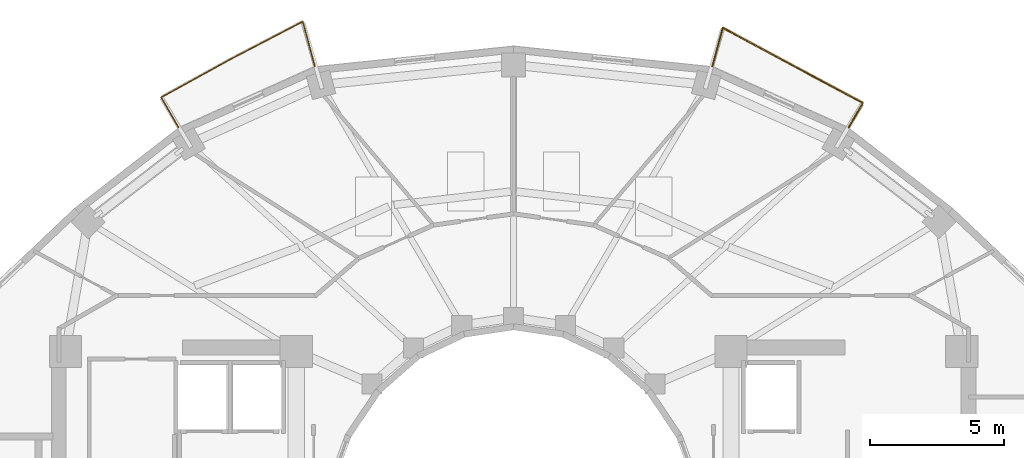
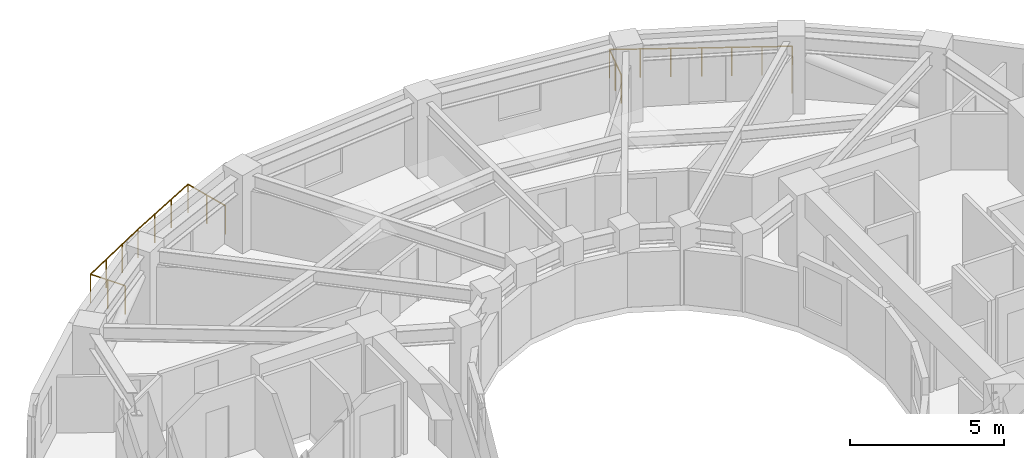
# One storey, part 10 of 10: 2 railings.
"""IFC4 building model written with IfcOpenShell, lengths in metres."""

from ifc_helpers import new_model, si_unit, direction, frame, origin, origin_2d, place, context, subcontext, project, spatial, circle, extrude, material, type_object, element, save


model = new_model("IFC4")

# Units and contexts
model_context = context("Model", 3, precision=1e-05, world=origin(), true_north=direction((0.0, 1.0)))
body_context = subcontext(model_context, "Body", "Model", "MODEL_VIEW")
ifc_project = project(units=[si_unit("LENGTHUNIT", "METRE"), si_unit("AREAUNIT", "SQUARE_METRE"), si_unit("VOLUMEUNIT", "CUBIC_METRE"), si_unit("PLANEANGLEUNIT", "RADIAN"), si_unit("MASSUNIT", "GRAM", prefix="KILO")], contexts=[model_context])

# Site, building, storey
site_placement = place(None, origin())
site = spatial("IfcSite", under=ifc_project, at=site_placement, CompositionType="ELEMENT")
building_placement = place(site_placement, origin())
building = spatial("IfcBuilding", under=site, at=building_placement, Name="Solvane Sanctuary Tower", CompositionType="ELEMENT")
storey_placement = place(building_placement, frame((0.0, 0.0, 183.89990234375)))
storey = spatial("IfcBuildingStorey", under=building, at=storey_placement, Name="L56", CompositionType="ELEMENT", Elevation=183.89990234375)

# Railings
ifc_material = material(Name="Architectural Stainless Steel 316", Category="steel")
railing_type = type_object("IfcRailingType", Name="Railing GR-BALC-1150", PredefinedType="BALUSTRADE", material=ifc_material)
railing_1_placement = place(storey_placement, frame((44.489013671875, 38.5458984375, 0.0)))
element("IfcRailing", 1, at=railing_1_placement, inside=storey, type_object=railing_type, Name="L56 Wave Balcony Balustrade N1", PredefinedType="BALUSTRADE", context=body_context, shape_type="SweptSolid", body=[
    extrude(circle(Radius=0.02392578125, at=origin_2d()), frame((0.0, 0.0, 1.1259765625), z_axis=(0.50006949096, 0.865985279442, 0.0), x_axis=(-0.865985279442, 0.50006949096, 0.0)), (0.0, 0.0, 1.0), 1.055419921875),
    extrude(circle(Radius=0.02392578125, at=origin_2d()), frame((0.52783203125, 0.9140625, 1.1259765625), z_axis=(-0.881917358686, 0.471404043734, 0.0), x_axis=(-0.471404043734, -0.881917358686, 0.0)), (0.0, 0.0, 1.0), 2.93505859375),
    extrude(circle(Radius=0.02392578125, at=origin_2d()), frame((-2.060546875, 2.297607421875, 1.1259765625), z_axis=(-0.880368903355, 0.474289567674, 0.0), x_axis=(-0.474289567674, -0.880368903355, 0.0)), (0.0, 0.0, 1.0), 2.9921875),
    extrude(circle(Radius=0.02392578125, at=origin_2d()), frame((-4.69482421875, 3.716796875, 1.1259765625), z_axis=(-0.258686731878, -0.965961269798, 0.0), x_axis=(0.965961269798, -0.258686731878, 0.0)), (0.0, 0.0, 1.0), 1.483642578125),
    extrude(circle(Radius=0.02099609375, at=origin_2d()), origin(), (0.0, 0.0, 1.0), 1.101806640625),
    extrude(circle(Radius=0.02099609375, at=origin_2d()), frame((0.52783203125, 0.9140625, 0.0)), (0.0, 0.0, 1.0), 1.101806640625),
    extrude(circle(Radius=0.02099609375, at=origin_2d()), frame((-0.3349609375, 1.375244140625, 0.0)), (0.0, 0.0, 1.0), 1.101806640625),
    extrude(circle(Radius=0.02099609375, at=origin_2d()), frame((-1.19775390625, 1.83642578125, 0.0)), (0.0, 0.0, 1.0), 1.101806640625),
    extrude(circle(Radius=0.02099609375, at=origin_2d()), frame((-2.060546875, 2.297607421875, 0.0)), (0.0, 0.0, 1.0), 1.101806640625),
    extrude(circle(Radius=0.02099609375, at=origin_2d()), frame((-2.938720703125, 2.770751953125, 0.0)), (0.0, 0.0, 1.0), 1.101806640625),
    extrude(circle(Radius=0.02099609375, at=origin_2d()), frame((-3.816650390625, 3.24365234375, 0.0)), (0.0, 0.0, 1.0), 1.101806640625),
    extrude(circle(Radius=0.02099609375, at=origin_2d()), frame((-4.69482421875, 3.716796875, 0.0)), (0.0, 0.0, 1.0), 1.101806640625),
    extrude(circle(Radius=0.02099609375, at=origin_2d()), frame((-4.88671875, 3.000244140625, 0.0)), (0.0, 0.0, 1.0), 1.101806640625),
    extrude(circle(Radius=0.02099609375, at=origin_2d()), frame((-5.07861328125, 2.28369140625, 0.0)), (0.0, 0.0, 1.0), 1.101806640625),
])
railing_2_placement = place(storey_placement, frame((24.589599609375, 40.82958984375, 0.0)))
element("IfcRailing", 2, at=railing_2_placement, inside=storey, type_object=railing_type, Name="L56 Wave Balcony Balustrade N2", PredefinedType="BALUSTRADE", context=body_context, shape_type="SweptSolid", body=[
    extrude(circle(Radius=0.02392578125, at=origin_2d()), frame((0.0, 0.0, 1.1259765625), z_axis=(-0.258790337249, 0.965933518078, 0.0), x_axis=(-0.965933518078, -0.258790337249, 0.0)), (0.0, 0.0, 1.0), 1.724609375),
    extrude(circle(Radius=0.02392578125, at=origin_2d()), frame((-0.4462890625, 1.665771484375, 1.1259765625), z_axis=(-0.886932025781, -0.461899969306, 0.0), x_axis=(0.461899969306, -0.886932025781, 0.0)), (0.0, 0.0, 1.0), 3.01953125),
    extrude(circle(Radius=0.02392578125, at=origin_2d()), frame((-3.12451171875, 0.27099609375, 1.1259765625), z_axis=(-0.876127387244, -0.482079662837, 0.0), x_axis=(0.482079662837, -0.876127387244, 0.0)), (0.0, 0.0, 1.0), 2.97021484375),
    extrude(circle(Radius=0.02392578125, at=origin_2d()), frame((-5.726806640625, -1.160888671875, 1.1259765625), z_axis=(0.49996696679, -0.866044474677, 0.0), x_axis=(0.866044474677, 0.49996696679, 0.0)), (0.0, 0.0, 1.0), 1.29638671875),
    extrude(circle(Radius=0.02099609375, at=origin_2d()), origin(), (0.0, 0.0, 1.0), 1.101806640625),
    extrude(circle(Radius=0.02099609375, at=origin_2d()), frame((-0.22314453125, 0.8330078125, 0.0)), (0.0, 0.0, 1.0), 1.101806640625),
    extrude(circle(Radius=0.02099609375, at=origin_2d()), frame((-0.4462890625, 1.665771484375, 0.0)), (0.0, 0.0, 1.0), 1.101806640625),
    extrude(circle(Radius=0.02099609375, at=origin_2d()), frame((-1.339111328125, 1.200927734375, 0.0)), (0.0, 0.0, 1.0), 1.101806640625),
    extrude(circle(Radius=0.02099609375, at=origin_2d()), frame((-2.231689453125, 0.73583984375, 0.0)), (0.0, 0.0, 1.0), 1.101806640625),
    extrude(circle(Radius=0.02099609375, at=origin_2d()), frame((-3.12451171875, 0.27099609375, 0.0)), (0.0, 0.0, 1.0), 1.101806640625),
    extrude(circle(Radius=0.02099609375, at=origin_2d()), frame((-3.991943359375, -0.206298828125, 0.0)), (0.0, 0.0, 1.0), 1.101806640625),
    extrude(circle(Radius=0.02099609375, at=origin_2d()), frame((-4.859375, -0.68359375, 0.0)), (0.0, 0.0, 1.0), 1.101806640625),
    extrude(circle(Radius=0.02099609375, at=origin_2d()), frame((-5.726806640625, -1.160888671875, 0.0)), (0.0, 0.0, 1.0), 1.101806640625),
    extrude(circle(Radius=0.02099609375, at=origin_2d()), frame((-5.40283203125, -1.72216796875, 0.0)), (0.0, 0.0, 1.0), 1.101806640625),
    extrude(circle(Radius=0.02099609375, at=origin_2d()), frame((-5.07861328125, -2.28369140625, 0.0)), (0.0, 0.0, 1.0), 1.101806640625),
])

save(model, "model.ifc")
